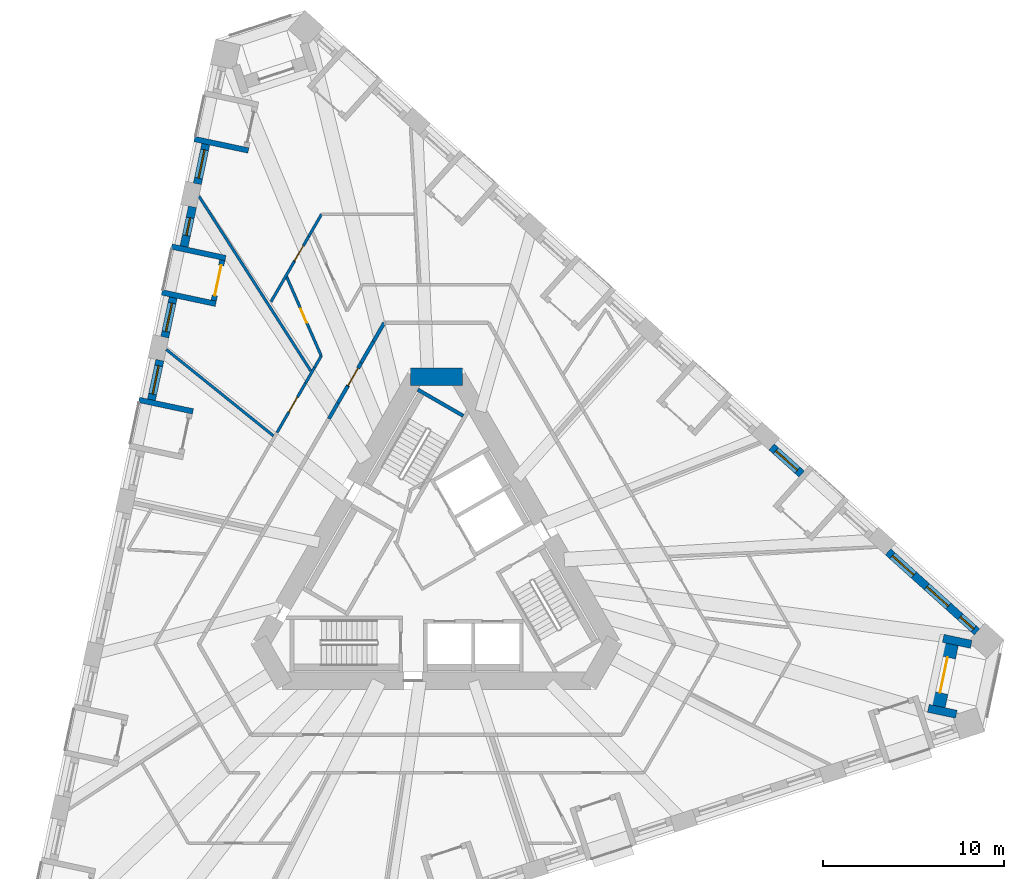
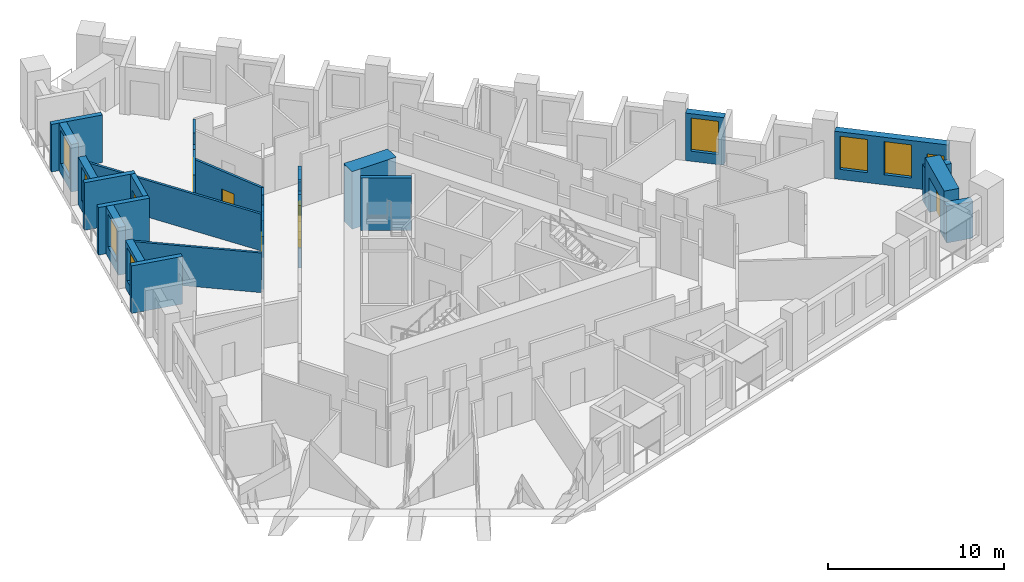
# One storey, part 7 of 12: 30 walls, 8 windows, 6 doors, 14 openings.
"""IFC4 building model written with IfcOpenShell, lengths in metres."""

import ifcopenshell
import ifcopenshell.guid

model = None  # the IFC model being written
_history = None  # IfcOwnerHistory: only IFC2X3 demands one
_inside = {}  # id of a spatial element -> (the spatial element, [elements in it])
_under = {}  # id of a project, library or spatial element -> (it, [spatial elements below it])
_declared = {}  # id of a project -> (the project, [libraries it declares])
_typed = {}  # id of a type object -> (the type object, [elements of that type])
_made_of = {}  # id of a material, layer set ... -> (it, [elements and type objects made of it])


def new_model(schema):
    """Start an empty IFC model of exactly this schema.

    Asked for "IFC4X3", IfcOpenShell would pick the latest addendum, in which some entities
    have other attributes; the version numbers below select the first issue.
    IFC2X3 requires an IfcOwnerHistory on every rooted entity: one is made here for all.
    """
    global model, _history
    if schema == "IFC4X3":
        model = ifcopenshell.file(schema_version=(4, 3, 0, 0))
    else:
        model = ifcopenshell.file(schema=schema)
    _inside.clear()
    _under.clear()
    _declared.clear()
    _typed.clear()
    _made_of.clear()
    _history = None
    if model.schema == "IFC2X3":
        org = make("IfcOrganization", Name="unknown")
        user = make(
            "IfcPersonAndOrganization",
            ThePerson=make("IfcPerson", FamilyName="unknown"),
            TheOrganization=org,
        )
        app = make(
            "IfcApplication",
            ApplicationDeveloper=org,
            Version="unknown",
            ApplicationFullName="unknown",
            ApplicationIdentifier="unknown",
        )
        _history = make(
            "IfcOwnerHistory",
            OwningUser=user,
            OwningApplication=app,
            ChangeAction="ADDED",
            CreationDate=0,
        )
    return model


def make(cls, **values):
    """One entity of the class cls with the attributes given. An attribute that is None is left unset."""
    return model.create_entity(
        cls, **{name: value for name, value in values.items() if value is not None}
    )


def rooted(cls, **values):
    """An entity with a GlobalId (a new one), such as an element, a storey or a relation."""
    return make(cls, GlobalId=ifcopenshell.guid.new(), OwnerHistory=_history, **values)


def si_unit(unit_type, name, prefix=None):
    """IfcSIUnit, for example si_unit("LENGTHUNIT", "METRE", prefix="MILLI")."""
    return make("IfcSIUnit", UnitType=unit_type, Prefix=prefix, Name=name)


def assignment(units):
    """IfcUnitAssignment: the units of a project."""
    return None if units is None else make("IfcUnitAssignment", Units=units)


def point(xyz):
    """IfcCartesianPoint."""
    return None if xyz is None else make("IfcCartesianPoint", Coordinates=xyz)


def direction(xyz):
    """IfcDirection."""
    return None if xyz is None else make("IfcDirection", DirectionRatios=xyz)


def frame(location, z_axis=None, x_axis=None):
    """IfcAxis2Placement3D, a coordinate frame: its origin and axes. An axis left out is left unset."""
    return make(
        "IfcAxis2Placement3D",
        Location=point(location),
        Axis=direction(z_axis),
        RefDirection=direction(x_axis),
    )


def frame_2d(location, x_axis=None):
    """IfcAxis2Placement2D, a coordinate frame in the plane: its origin and x axis."""
    return make(
        "IfcAxis2Placement2D", Location=point(location), RefDirection=direction(x_axis)
    )


def origin():
    """The frame at (0, 0, 0) with its axes left unset."""
    return frame((0.0, 0.0, 0.0))


def place(relative_to, where):
    """IfcLocalPlacement: puts the frame where relative to a parent placement (None: the world)."""
    return make(
        "IfcLocalPlacement", PlacementRelTo=relative_to, RelativePlacement=where
    )


def context(
    kind, dimensions, precision=None, world=None, true_north=None, identifier=None
):
    """IfcGeometricRepresentationContext, for example the 3D "Model" context."""
    return make(
        "IfcGeometricRepresentationContext",
        ContextIdentifier=identifier,
        ContextType=kind,
        CoordinateSpaceDimension=dimensions,
        Precision=precision,
        WorldCoordinateSystem=world,
        TrueNorth=true_north,
    )


def subcontext(parent, identifier, kind, view, scale=None):
    """IfcGeometricRepresentationSubContext, for example "Body" below "Model"."""
    return make(
        "IfcGeometricRepresentationSubContext",
        ContextIdentifier=identifier,
        ContextType=kind,
        ParentContext=parent,
        TargetScale=scale,
        TargetView=view,
    )


def project(units=None, contexts=None):
    """IfcProject with its units and contexts."""
    return rooted(
        "IfcProject",
        Name="project",
        RepresentationContexts=contexts,
        UnitsInContext=assignment(units),
    )


def spatial(cls, under=None, at=None, **own):
    """A site, building, storey or space (cls), placed at a placement, below another one or the project."""
    s = rooted(cls, ObjectPlacement=at, **own)
    if under is not None:
        _under.setdefault(under.id(), (under, []))[1].append(s)
    return s


def polyline(points):
    """IfcPolyline through the points."""
    return make("IfcPolyline", Points=[point(p) for p in points])


def profile(cls, at=None, kind="AREA", **sizes):
    """A parametric profile (cls). Its sizes go by their IFC names, for example OverallWidth=200.0."""
    return make(cls, ProfileType=kind, Position=at, **sizes)


def rectangle(**sizes):
    """IfcRectangleProfileDef."""
    return profile("IfcRectangleProfileDef", **sizes)


def outline(outer, holes=None, kind="AREA"):
    """IfcArbitraryClosedProfileDef: a profile drawn as a closed curve; with holes, ...WithVoids."""
    if holes is None:
        return make("IfcArbitraryClosedProfileDef", ProfileType=kind, OuterCurve=outer)
    return make(
        "IfcArbitraryProfileDefWithVoids",
        ProfileType=kind,
        OuterCurve=outer,
        InnerCurves=holes,
    )


def extrude(swept, where, along, depth):
    """IfcExtrudedAreaSolid: the profile swept, set in the frame where, extruded along a direction by depth."""
    return make(
        "IfcExtrudedAreaSolid",
        SweptArea=swept,
        Position=where,
        ExtrudedDirection=direction(along),
        Depth=depth,
    )


def shape(context_of_items, identifier, shape_type, items):
    """IfcShapeRepresentation: the items that make up one representation, for example the "Body"."""
    return make(
        "IfcShapeRepresentation",
        ContextOfItems=context_of_items,
        RepresentationIdentifier=identifier,
        RepresentationType=shape_type,
        Items=items,
    )


def material(Name=None, Category=None):
    """IfcMaterial."""
    return make("IfcMaterial", Name=Name, Category=Category)


def layer(
    of_material, thickness, ventilated=None, Name=None, Category=None, Priority=None
):
    """IfcMaterialLayer: one layer of a wall or slab, of a material (None: an air gap)."""
    return make(
        "IfcMaterialLayer",
        Material=of_material,
        LayerThickness=thickness,
        IsVentilated=ventilated,
        Name=Name,
        Category=Category,
        Priority=Priority,
    )


def layer_set(layers, Name=None):
    """IfcMaterialLayerSet."""
    return make("IfcMaterialLayerSet", MaterialLayers=layers, LayerSetName=Name)


def made_of(thing, what):
    """Note that an element or type object is made of a material, layer set ...; save() writes the relation."""
    if what is not None:
        _made_of.setdefault(what.id(), (what, []))[1].append(thing)
    return thing


def type_object(cls, material=None, **own):
    """A type object (cls), such as IfcWallType, which elements share."""
    return made_of(rooted(cls, **own), material)


def element(
    cls,
    number,
    at=None,
    inside=None,
    cuts=None,
    type_object=None,
    material=None,
    context=None,
    identifier="Body",
    shape_type=None,
    held_by="IfcProductDefinitionShape",
    body=None,
    shapes=None,
    **own,
):
    """One element of the class cls, such as IfcWall. Its Tag is "e" and its number.

    at: its placement. inside: the storey or other place that contains it. cuts: it is an
    opening in that element (IfcRelVoidsElement). A single representation is given by context,
    identifier, shape_type and body (its items); several are given by shapes. held_by: the class
    of the entity that holds the representations. save() writes the other relations.
    """
    e = rooted(cls, Tag="e%d" % number, ObjectPlacement=at, **own)
    if body is not None:
        shapes = [shape(context, identifier, shape_type, body)]
    if shapes is not None:
        e.Representation = make(held_by, Representations=shapes)
    if inside is not None:
        _inside.setdefault(inside.id(), (inside, []))[1].append(e)
    if cuts is not None:
        rooted(
            "IfcRelVoidsElement", RelatingBuildingElement=cuts, RelatedOpeningElement=e
        )
    if type_object is not None:
        _typed.setdefault(type_object.id(), (type_object, []))[1].append(e)
    return made_of(e, material)


def fill(opening, filler):
    """IfcRelFillsElement: the door or window that sits in an opening."""
    return rooted(
        "IfcRelFillsElement",
        RelatingOpeningElement=opening,
        RelatedBuildingElement=filler,
    )


def aggregate(whole, parts):
    """IfcRelAggregates: a whole, such as a stair, and the parts it consists of."""
    return rooted("IfcRelAggregates", RelatingObject=whole, RelatedObjects=parts)


def save(model, path):
    """Write the relations noted so far, then the file.

    IfcRelAggregates (storeys below a building ...), IfcRelContainedInSpatialStructure (elements
    in a storey), IfcRelDefinesByType, IfcRelAssociatesMaterial and IfcRelDeclares: one each for
    every whole, place, type object, material and project.
    """
    for whole, parts in _under.values():
        aggregate(whole, parts)
    for where, things in _inside.values():
        rooted(
            "IfcRelContainedInSpatialStructure",
            RelatedElements=things,
            RelatingStructure=where,
        )
    for kind, things in _typed.values():
        rooted("IfcRelDefinesByType", RelatedObjects=things, RelatingType=kind)
    for what, things in _made_of.values():
        rooted("IfcRelAssociatesMaterial", RelatedObjects=things, RelatingMaterial=what)
    for by, libraries in _declared.values():
        rooted("IfcRelDeclares", RelatingContext=by, RelatedDefinitions=libraries)
    model.write(path)


model = new_model("IFC4")

# Units and contexts
model_context = context("Model", 3, precision=1e-05, world=origin(), true_north=direction((0.0, 1.0)))
body_context = subcontext(model_context, "Body", "Model", "MODEL_VIEW")
ifc_project = project(units=[si_unit("LENGTHUNIT", "METRE"), si_unit("AREAUNIT", "SQUARE_METRE"), si_unit("VOLUMEUNIT", "CUBIC_METRE"), si_unit("PLANEANGLEUNIT", "RADIAN"), si_unit("MASSUNIT", "GRAM", prefix="KILO")], contexts=[model_context])

# Site, building, storey
site_placement = place(None, origin())
site = spatial("IfcSite", under=ifc_project, at=site_placement, CompositionType="ELEMENT")
building_placement = place(site_placement, origin())
building = spatial("IfcBuilding", under=site, at=building_placement, Name="Tramontana Tower", CompositionType="ELEMENT")
storey_placement = place(building_placement, frame((0.0, 0.0, 92.39990234375)))
storey = spatial("IfcBuildingStorey", under=building, at=storey_placement, Name="L20", CompositionType="ELEMENT", Elevation=92.39990234375)

# Walls
ifc_material_1 = material(Name="Concrete 70 MPa", Category="concrete")
ifc_layer_1 = layer(ifc_material_1, 0.949951171875)
ifc_layer_set_1 = layer_set([ifc_layer_1], Name="Core wall 950 70 MPa")
wall_type_1 = type_object("IfcWallType", Name="Core wall 950 70 MPa", PredefinedType="SHEAR", material=ifc_layer_set_1)
wall_1_placement = place(storey_placement, frame((1.443359375, 10.52490234375, 0.0), z_axis=(0.0, 0.0, 1.0), x_axis=(-1.0, 0.0, 0.0)))
element("IfcWall", 1, at=wall_1_placement, inside=storey, type_object=wall_type_1, Name="Core wall C0 L20", PredefinedType="SHEAR", context=body_context, shape_type="SweptSolid", body=[
    extrude(rectangle(XDim=2.88671875, YDim=0.949951171875, at=frame_2d((1.443359375, 0.0))), origin(), (0.0, 0.0, 1.0), 4.0),
])
ifc_material_2 = material(Name="Blockwork", Category="masonry")
ifc_layer_2 = layer(ifc_material_2, 0.199951171875)
ifc_layer_set_2 = layer_set([ifc_layer_2], Name="ENTRY WALL 200")
wall_type_2 = type_object("IfcWallType", Name="ENTRY WALL 200", PredefinedType="SOLIDWALL", material=ifc_layer_set_2)
wall_2_placement = place(storey_placement, frame((-5.944091796875, 8.20458984375, 0.0), z_axis=(0.0, 0.0, 1.0), x_axis=(0.500051323872, 0.865995769906, 0.0)))
element("IfcWall", 2, at=wall_2_placement, inside=storey, type_object=wall_type_2, Name="Wall v20-ew4-7", PredefinedType="SOLIDWALL", context=body_context, shape_type="SweptSolid", body=[
    extrude(rectangle(XDim=1.0068359375, YDim=0.199951171875, at=frame_2d((0.50341796875, 0.0))), origin(), (0.0, 0.0, 1.0), 2.550048828125),
])
wall_3_placement = place(storey_placement, frame((-5.440673828125, 9.076416015625, 0.0), z_axis=(0.0, 0.0, 1.0), x_axis=(0.499920058375, 0.866071553184, 0.0)))
element("IfcWall", 3, at=wall_3_placement, inside=storey, type_object=wall_type_2, Name="Wall v20-ew4-8", PredefinedType="SOLIDWALL", context=body_context, shape_type="SweptSolid", body=[
    extrude(rectangle(XDim=1.069580078125, YDim=0.199951171875, at=frame_2d((0.53466796875, 0.0))), origin(), (0.0, 0.0, 1.0), 3.650146484375),
])

# Wall, opening, door
wall_4_placement = place(storey_placement, frame((-4.906005859375, 10.002685546875, 0.0), z_axis=(0.0, 0.0, 1.0), x_axis=(0.500096935553, 0.865969430783, 0.0)))
wall_4 = element("IfcWall", 4, at=wall_4_placement, inside=storey, type_object=wall_type_2, Name="Wall v20-ew4-9", PredefinedType="SOLIDWALL", context=body_context, shape_type="SweptSolid", body=[
    extrude(outline(polyline([(0.0, 0.0), (1.486083984375, 0.0), (1.48583984375, 2.550048828125), (0.349853515625, 2.550048828125), (0.349853515625, 3.650146484375), (0.0, 3.650146484375), (0.0, 0.0)])), frame((0.0, 0.10009765625, 0.0), z_axis=(0.0, -1.0, 0.0), x_axis=(1.0, 0.0, 0.0)), (0.0, 0.0, 1.0), 0.199951171875),
])
opening_1_placement = place(wall_4_placement, frame((0.050048828125, 0.0, 0.0)))
opening_1 = element("IfcOpeningElement", 5, at=opening_1_placement, cuts=wall_4, Name="Opening B2A-22", PredefinedType="OPENING", context=body_context, shape_type="SweptSolid", body=[
    extrude(rectangle(XDim=1.10009765625, YDim=2.39990234375, at=frame_2d((0.550048828125, 1.199951171875))), frame((0.0, 0.10986328125, 0.0), z_axis=(0.0, -1.0, 0.0), x_axis=(1.0, 0.0, 0.0)), (0.0, 0.0, 1.0), 0.219970703125),
])
ifc_material_3 = material(Name="Painted timber", Category="wood")
door_type_1 = type_object("IfcDoorType", Name="DOOR ENTRY 1100", OperationType="SINGLE_SWING_LEFT", PredefinedType="DOOR", material=ifc_material_3)
door_1_placement = place(opening_1_placement, origin())
door_1 = element("IfcDoor", 6, at=door_1_placement, inside=storey, type_object=door_type_1, Name="Door B2A-22", OperationType="SINGLE_SWING_RIGHT", OverallHeight=2.39990234375, OverallWidth=1.10009765625, PredefinedType="DOOR", context=body_context, shape_type="SweptSolid", body=[
    extrude(rectangle(XDim=1.10009765625, YDim=2.39990234375, at=frame_2d((0.550048828125, 1.199951171875))), frame((0.0, 0.02490234375, 0.0), z_axis=(0.0, -1.0, 0.0), x_axis=(1.0, 0.0, 0.0)), (0.0, 0.0, 1.0), 0.050048828125),
])
fill(opening_1, door_1)

# Walls
wall_5_placement = place(storey_placement, frame((-4.162841796875, 11.28955078125, 0.0), z_axis=(0.0, 0.0, 1.0), x_axis=(0.499903734186, 0.866080975745, 0.0)))
element("IfcWall", 7, at=wall_5_placement, inside=storey, type_object=wall_type_2, Name="Wall v20-ew4-10", PredefinedType="SOLIDWALL", context=body_context, shape_type="SweptSolid", body=[
    extrude(rectangle(XDim=1.360107421875, YDim=0.199951171875, at=frame_2d((0.68017578125, 0.0))), origin(), (0.0, 0.0, 1.0), 3.650146484375),
])
wall_6_placement = place(storey_placement, frame((-3.48291015625, 12.467529296875, 0.0), z_axis=(0.0, 0.0, 1.0), x_axis=(0.500059236744, 0.865991200733, 0.0)))
element("IfcWall", 8, at=wall_6_placement, inside=storey, type_object=wall_type_2, Name="Wall v20-ew4-11", PredefinedType="SOLIDWALL", context=body_context, shape_type="SweptSolid", body=[
    extrude(rectangle(XDim=1.192138671875, YDim=0.199951171875, at=frame_2d((0.59619140625, 0.0))), origin(), (0.0, 0.0, 1.0), 2.550048828125),
])

# Wall, opening, window
ifc_material_4 = material(Name="Precast concrete 60 MPa", Category="concrete")
ifc_layer_3 = layer(ifc_material_4, 0.449951171875)
ifc_layer_set_3 = layer_set([ifc_layer_3], Name="Precast concrete 60 MPa, 450 mm")
wall_type_3 = type_object("IfcWallType", Name="EW1 Stone-faced precast wall 450", PredefinedType="SOLIDWALL", material=ifc_layer_set_3)
wall_7_placement = place(storey_placement, frame((-12.7451171875, 23.36767578125, 0.0), z_axis=(0.0, 0.0, 1.0), x_axis=(-0.207941001029, -0.978141370197, 0.0)))
wall_7 = element("IfcWall", 9, at=wall_7_placement, inside=storey, type_object=wall_type_3, Name="External wall L20 face 0 bay 1", PredefinedType="SOLIDWALL", context=body_context, shape_type="SweptSolid", body=[
    extrude(rectangle(XDim=2.236572265625, YDim=0.449951171875, at=frame_2d((1.1181640625, 0.0))), origin(), (0.0, 0.0, 1.0), 3.300048828125),
])
opening_2_placement = place(wall_7_placement, frame((0.318359375, 0.0, 0.699951171875)))
opening_2 = element("IfcOpeningElement", 10, at=opening_2_placement, cuts=wall_7, Name="Opening M1", PredefinedType="OPENING", context=body_context, shape_type="SweptSolid", body=[
    extrude(rectangle(XDim=1.60009765625, YDim=2.300048828125, at=frame_2d((0.800048828125, 1.14990234375))), frame((0.0, 0.23486328125, 0.0), z_axis=(0.0, -1.0, 0.0), x_axis=(1.0, 0.0, 0.0)), (0.0, 0.0, 1.0), 0.469970703125),
])
ifc_material_5 = material(Name="Aluminum frame, double glazing unit", Category="aluminium")
window_type_1 = type_object("IfcWindowType", Name="M1 Window 1.6 x 2.3", PartitioningType="SINGLE_PANEL", PredefinedType="WINDOW", material=ifc_material_5)
window_1_placement = place(opening_2_placement, origin())
window_1 = element("IfcWindow", 11, at=window_1_placement, inside=storey, type_object=window_type_1, Name="Window M1 L20 face 0 module 3", OverallHeight=2.300048828125, OverallWidth=1.60009765625, PartitioningType="SINGLE_PANEL", PredefinedType="WINDOW", context=body_context, shape_type="SweptSolid", body=[
    extrude(rectangle(XDim=1.60009765625, YDim=2.300048828125, at=frame_2d((0.800048828125, 1.14990234375))), frame((0.0, 0.030029296875, 0.0), z_axis=(0.0, -1.0, 0.0), x_axis=(1.0, 0.0, 0.0)), (0.0, 0.0, 1.0), 0.06005859375),
])
fill(opening_2, window_1)

wall_8_placement = place(storey_placement, frame((-13.48046875, 19.908203125, 0.0), z_axis=(0.0, 0.0, 1.0), x_axis=(-0.207941001029, -0.978141370197, 0.0)))
wall_8 = element("IfcWall", 12, at=wall_8_placement, inside=storey, type_object=wall_type_3, Name="External wall L20 face 0 bay 2", PredefinedType="SOLIDWALL", context=body_context, shape_type="SweptSolid", body=[
    extrude(rectangle(XDim=2.236572265625, YDim=0.449951171875, at=frame_2d((1.1181640625, 0.0))), origin(), (0.0, 0.0, 1.0), 3.300048828125),
])
opening_3_placement = place(wall_8_placement, frame((0.618408203125, 0.0, 0.699951171875)))
opening_3 = element("IfcOpeningElement", 13, at=opening_3_placement, cuts=wall_8, Name="Opening N1", PredefinedType="OPENING", context=body_context, shape_type="SweptSolid", body=[
    extrude(rectangle(XDim=1.0, YDim=2.300048828125, at=frame_2d((0.5, 1.14990234375))), frame((0.0, 0.23486328125, 0.0), z_axis=(0.0, -1.0, 0.0), x_axis=(1.0, 0.0, 0.0)), (0.0, 0.0, 1.0), 0.469970703125),
])
ifc_material_6 = material(Name="Aluminum frame, double glazing unit", Category="aluminium")
window_type_2 = type_object("IfcWindowType", Name="N1 Window 1 x 2.3", PartitioningType="SINGLE_PANEL", PredefinedType="WINDOW", material=ifc_material_6)
window_2_placement = place(opening_3_placement, origin())
window_2 = element("IfcWindow", 14, at=window_2_placement, inside=storey, type_object=window_type_2, Name="Window N1 L20 face 0 module 4", OverallHeight=2.300048828125, OverallWidth=1.0, PartitioningType="SINGLE_PANEL", PredefinedType="WINDOW", context=body_context, shape_type="SweptSolid", body=[
    extrude(rectangle(XDim=1.0, YDim=2.300048828125, at=frame_2d((0.5, 1.14990234375))), frame((0.0, 0.030029296875, 0.0), z_axis=(0.0, -1.0, 0.0), x_axis=(1.0, 0.0, 0.0)), (0.0, 0.0, 1.0), 0.06005859375),
])
fill(opening_3, window_2)

wall_9_placement = place(storey_placement, frame((-14.545654296875, 14.896728515625, 0.0), z_axis=(0.0, 0.0, 1.0), x_axis=(-0.207941001029, -0.978141370197, 0.0)))
wall_9 = element("IfcWall", 15, at=wall_9_placement, inside=storey, type_object=wall_type_3, Name="External wall L20 face 0 bay 2", PredefinedType="SOLIDWALL", context=body_context, shape_type="SweptSolid", body=[
    extrude(rectangle(XDim=2.236572265625, YDim=0.449951171875, at=frame_2d((1.1181640625, 0.0))), origin(), (0.0, 0.0, 1.0), 3.300048828125),
])
opening_4_placement = place(wall_9_placement, frame((0.318359375, 0.0, 0.699951171875)))
opening_4 = element("IfcOpeningElement", 16, at=opening_4_placement, cuts=wall_9, Name="Opening M1", PredefinedType="OPENING", context=body_context, shape_type="SweptSolid", body=[
    extrude(rectangle(XDim=1.60009765625, YDim=2.300048828125, at=frame_2d((0.800048828125, 1.14990234375))), frame((0.0, 0.23486328125, 0.0), z_axis=(0.0, -1.0, 0.0), x_axis=(1.0, 0.0, 0.0)), (0.0, 0.0, 1.0), 0.469970703125),
])
window_3_placement = place(opening_4_placement, origin())
window_3 = element("IfcWindow", 17, at=window_3_placement, inside=storey, type_object=window_type_1, Name="Window M1 L20 face 0 module 6", OverallHeight=2.300048828125, OverallWidth=1.60009765625, PartitioningType="SINGLE_PANEL", PredefinedType="WINDOW", context=body_context, shape_type="SweptSolid", body=[
    extrude(rectangle(XDim=1.60009765625, YDim=2.300048828125, at=frame_2d((0.800048828125, 1.14990234375))), frame((0.0, 0.030029296875, 0.0), z_axis=(0.0, -1.0, 0.0), x_axis=(1.0, 0.0, 0.0)), (0.0, 0.0, 1.0), 0.06005859375),
])
fill(opening_4, window_3)

wall_10_placement = place(storey_placement, frame((-15.281005859375, 11.437255859375, 0.0), z_axis=(0.0, 0.0, 1.0), x_axis=(-0.207941001029, -0.978141370197, 0.0)))
wall_10 = element("IfcWall", 18, at=wall_10_placement, inside=storey, type_object=wall_type_3, Name="External wall L20 face 0 bay 3", PredefinedType="SOLIDWALL", context=body_context, shape_type="SweptSolid", body=[
    extrude(rectangle(XDim=2.236572265625, YDim=0.449951171875, at=frame_2d((1.1181640625, 0.0))), origin(), (0.0, 0.0, 1.0), 3.300048828125),
])
opening_5_placement = place(wall_10_placement, frame((0.318359375, 0.0, 0.699951171875)))
opening_5 = element("IfcOpeningElement", 19, at=opening_5_placement, cuts=wall_10, Name="Opening M1", PredefinedType="OPENING", context=body_context, shape_type="SweptSolid", body=[
    extrude(rectangle(XDim=1.60009765625, YDim=2.300048828125, at=frame_2d((0.800048828125, 1.14990234375))), frame((0.0, 0.23486328125, 0.0), z_axis=(0.0, -1.0, 0.0), x_axis=(1.0, 0.0, 0.0)), (0.0, 0.0, 1.0), 0.469970703125),
])
window_4_placement = place(opening_5_placement, origin())
window_4 = element("IfcWindow", 20, at=window_4_placement, inside=storey, type_object=window_type_1, Name="Window M1 L20 face 0 module 7", OverallHeight=2.300048828125, OverallWidth=1.60009765625, PartitioningType="SINGLE_PANEL", PredefinedType="WINDOW", context=body_context, shape_type="SweptSolid", body=[
    extrude(rectangle(XDim=1.60009765625, YDim=2.300048828125, at=frame_2d((0.800048828125, 1.14990234375))), frame((0.0, 0.030029296875, 0.0), z_axis=(0.0, -1.0, 0.0), x_axis=(1.0, 0.0, 0.0)), (0.0, 0.0, 1.0), 0.06005859375),
])
fill(opening_5, window_4)

# Wall, openings, windows
wall_11_placement = place(storey_placement, frame((29.85986328125, -3.57275390625, 0.0), z_axis=(0.0, 0.0, 1.0), x_axis=(-0.743161908204, 0.669111633582, 0.0)))
wall_11 = element("IfcWall", 21, at=wall_11_placement, inside=storey, type_object=wall_type_3, Name="External wall L20 face 2 bay 1", PredefinedType="SOLIDWALL", context=body_context, shape_type="SweptSolid", body=[
    extrude(rectangle(XDim=6.6103515625, YDim=0.449951171875, at=frame_2d((3.30517578125, 0.0))), origin(), (0.0, 0.0, 1.0), 3.300048828125),
])
opening_6_placement = place(wall_11_placement, frame((0.243408203125, 0.0, 0.699951171875)))
opening_6 = element("IfcOpeningElement", 22, at=opening_6_placement, cuts=wall_11, Name="Opening N1L", PredefinedType="OPENING", context=body_context, shape_type="SweptSolid", body=[
    extrude(rectangle(XDim=1.0, YDim=1.800048828125, at=frame_2d((0.5, 0.89990234375))), frame((0.0, 0.23486328125, 0.0), z_axis=(0.0, -1.0, 0.0), x_axis=(1.0, 0.0, 0.0)), (0.0, 0.0, 1.0), 0.469970703125),
])
opening_7_placement = place(wall_11_placement, frame((2.130126953125, 0.0, 0.699951171875)))
opening_7 = element("IfcOpeningElement", 23, at=opening_7_placement, cuts=wall_11, Name="Opening M1", PredefinedType="OPENING", context=body_context, shape_type="SweptSolid", body=[
    extrude(rectangle(XDim=1.60009765625, YDim=2.300048828125, at=frame_2d((0.800048828125, 1.14990234375))), frame((0.0, 0.23486328125, 0.0), z_axis=(0.0, -1.0, 0.0), x_axis=(1.0, 0.0, 0.0)), (0.0, 0.0, 1.0), 0.469970703125),
])
opening_8_placement = place(wall_11_placement, frame((4.69189453125, 0.0, 0.699951171875)))
opening_8 = element("IfcOpeningElement", 24, at=opening_8_placement, cuts=wall_11, Name="Opening M1", PredefinedType="OPENING", context=body_context, shape_type="SweptSolid", body=[
    extrude(rectangle(XDim=1.60009765625, YDim=2.300048828125, at=frame_2d((0.800048828125, 1.14990234375))), frame((0.0, 0.23486328125, 0.0), z_axis=(0.0, -1.0, 0.0), x_axis=(1.0, 0.0, 0.0)), (0.0, 0.0, 1.0), 0.469970703125),
])
window_5_placement = place(opening_7_placement, origin())
window_5 = element("IfcWindow", 25, at=window_5_placement, inside=storey, type_object=window_type_1, Name="Window M1 L20 face 2 module 2", OverallHeight=2.300048828125, OverallWidth=1.60009765625, PartitioningType="SINGLE_PANEL", PredefinedType="WINDOW", context=body_context, shape_type="SweptSolid", body=[
    extrude(rectangle(XDim=1.60009765625, YDim=2.300048828125, at=frame_2d((0.800048828125, 1.14990234375))), frame((0.0, 0.030029296875, 0.0), z_axis=(0.0, -1.0, 0.0), x_axis=(1.0, 0.0, 0.0)), (0.0, 0.0, 1.0), 0.06005859375),
])
fill(opening_7, window_5)
window_6_placement = place(opening_8_placement, origin())
window_6 = element("IfcWindow", 26, at=window_6_placement, inside=storey, type_object=window_type_1, Name="Window M1 L20 face 2 module 3", OverallHeight=2.300048828125, OverallWidth=1.60009765625, PartitioningType="SINGLE_PANEL", PredefinedType="WINDOW", context=body_context, shape_type="SweptSolid", body=[
    extrude(rectangle(XDim=1.60009765625, YDim=2.300048828125, at=frame_2d((0.800048828125, 1.14990234375))), frame((0.0, 0.030029296875, 0.0), z_axis=(0.0, -1.0, 0.0), x_axis=(1.0, 0.0, 0.0)), (0.0, 0.0, 1.0), 0.06005859375),
])
fill(opening_8, window_6)
ifc_material_7 = material(Name="Aluminum frame, double glazing unit", Category="aluminium")
window_type_3 = type_object("IfcWindowType", Name="N1L Window 1 x 1.8", PartitioningType="SINGLE_PANEL", PredefinedType="WINDOW", material=ifc_material_7)
window_7_placement = place(opening_6_placement, origin())
window_7 = element("IfcWindow", 27, at=window_7_placement, inside=storey, type_object=window_type_3, Name="Window N1L L20 face 2 module 1", OverallHeight=1.800048828125, OverallWidth=1.0, PartitioningType="SINGLE_PANEL", PredefinedType="WINDOW", context=body_context, shape_type="SweptSolid", body=[
    extrude(rectangle(XDim=1.0, YDim=1.800048828125, at=frame_2d((0.5, 0.89990234375))), frame((0.0, 0.030029296875, 0.0), z_axis=(0.0, -1.0, 0.0), x_axis=(1.0, 0.0, 0.0)), (0.0, 0.0, 1.0), 0.06005859375),
])
fill(opening_6, window_7)

# Wall, opening, window
wall_12_placement = place(storey_placement, frame((20.173828125, 5.1484375, 0.0), z_axis=(0.0, 0.0, 1.0), x_axis=(-0.743136746477, 0.669139578889, 0.0)))
wall_12 = element("IfcWall", 28, at=wall_12_placement, inside=storey, type_object=wall_type_3, Name="External wall L20 face 2 bay 2", PredefinedType="SOLIDWALL", context=body_context, shape_type="SweptSolid", body=[
    extrude(rectangle(XDim=2.237060546875, YDim=0.449951171875, at=frame_2d((1.11865234375, 0.0))), origin(), (0.0, 0.0, 1.0), 3.300048828125),
])
opening_9_placement = place(wall_12_placement, frame((0.318359375, 0.0, 0.699951171875)))
opening_9 = element("IfcOpeningElement", 29, at=opening_9_placement, cuts=wall_12, Name="Opening M1", PredefinedType="OPENING", context=body_context, shape_type="SweptSolid", body=[
    extrude(rectangle(XDim=1.60009765625, YDim=2.300048828125, at=frame_2d((0.800048828125, 1.14990234375))), frame((0.0, 0.23486328125, 0.0), z_axis=(0.0, -1.0, 0.0), x_axis=(1.0, 0.0, 0.0)), (0.0, 0.0, 1.0), 0.469970703125),
])
window_8_placement = place(opening_9_placement, origin())
window_8 = element("IfcWindow", 30, at=window_8_placement, inside=storey, type_object=window_type_1, Name="Window M1 L20 face 2 module 6", OverallHeight=2.300048828125, OverallWidth=1.60009765625, PartitioningType="SINGLE_PANEL", PredefinedType="WINDOW", context=body_context, shape_type="SweptSolid", body=[
    extrude(rectangle(XDim=1.60009765625, YDim=2.300048828125, at=frame_2d((0.800048828125, 1.14990234375))), frame((0.0, 0.030029296875, 0.0), z_axis=(0.0, -1.0, 0.0), x_axis=(1.0, 0.0, 0.0)), (0.0, 0.0, 1.0), 0.06005859375),
])
fill(opening_9, window_8)

# Walls
for number, where, z_axis, x_axis, name in (
    (31, (29.5390625, -4.259521484375, 0.0), (0.0, 0.0, 1.0), (-0.978142738706, 0.207934563547, 0.0), "Corner loggia side wall L20 K22l"),
    (32, (28.7177734375, -8.123291015625, 0.0), (0.0, 0.0, 1.0), (-0.978142738706, 0.207934563547, 0.0), "Corner loggia side wall L20 K22r"),
):
    element("IfcWall", number, at=place(storey_placement, frame(where, z_axis=z_axis, x_axis=x_axis)), inside=storey, type_object=wall_type_3, Name=name, PredefinedType="SOLIDWALL", context=body_context, shape_type="SweptSolid", body=[
        extrude(rectangle(XDim=1.5791015625, YDim=0.449951171875, at=frame_2d((0.78955078125, 0.0))), origin(), (0.0, 0.0, 1.0), 2.550048828125),
    ])

# Wall, opening, door
ifc_material_8 = material(Name="Precast concrete 60 MPa", Category="concrete")
ifc_layer_4 = layer(ifc_material_8, 0.89990234375)
ifc_layer_set_4 = layer_set([ifc_layer_4], Name="EW2 Stone-faced corner loggia wall 900")
wall_type_4 = type_object("IfcWallType", Name="EW2 Stone-faced corner loggia wall 900", PredefinedType="SOLIDWALL", material=ifc_layer_set_4)
wall_13_placement = place(storey_placement, frame((28.3876953125, -4.244873046875, 0.0), z_axis=(0.0, 0.0, 1.0), x_axis=(-0.207866264069, -0.978157255385, 0.0)))
wall_13 = element("IfcWall", 33, at=wall_13_placement, inside=storey, type_object=wall_type_4, Name="Corner loggia wall L20 K22", PredefinedType="SOLIDWALL", context=body_context, shape_type="SweptSolid", body=[
    extrude(rectangle(XDim=3.5, YDim=0.89990234375, at=frame_2d((1.75, 0.0))), origin(), (0.0, 0.0, 1.0), 3.300048828125),
])
opening_10_placement = place(wall_13_placement, frame((0.75, 0.0, 0.0)))
opening_10 = element("IfcOpeningElement", 34, at=opening_10_placement, cuts=wall_13, Name="Opening BD-22C", PredefinedType="OPENING", context=body_context, shape_type="SweptSolid", body=[
    extrude(rectangle(XDim=2.0, YDim=2.39990234375, at=frame_2d((1.0, 1.199951171875))), frame((0.0, 0.4599609375, 0.0), z_axis=(0.0, -1.0, 0.0), x_axis=(1.0, 0.0, 0.0)), (0.0, 0.0, 1.0), 0.919921875),
])
ifc_material_9 = material(Name="Aluminum frame, double glazing unit", Category="aluminium")
door_type_2 = type_object("IfcDoorType", Name="BC1 Sliding door 2 x 2.4", OperationType="SLIDING_TO_LEFT", PredefinedType="DOOR", material=ifc_material_9)
door_2_placement = place(opening_10_placement, origin())
door_2 = element("IfcDoor", 35, at=door_2_placement, inside=storey, type_object=door_type_2, Name="Corner loggia door L20 K22", OperationType="SLIDING_TO_LEFT", OverallHeight=2.39990234375, OverallWidth=2.0, PredefinedType="DOOR", context=body_context, shape_type="SweptSolid", body=[
    extrude(rectangle(XDim=2.0, YDim=2.39990234375, at=frame_2d((1.0, 1.199951171875))), frame((0.0, 0.02490234375, 0.0), z_axis=(0.0, -1.0, 0.0), x_axis=(1.0, 0.0, 0.0)), (0.0, 0.0, 1.0), 0.050048828125),
])
fill(opening_10, door_2)

# Wall
ifc_material_10 = material(Name="Precast concrete 60 MPa", Category="concrete")
ifc_layer_5 = layer(ifc_material_10, 0.300048828125)
ifc_layer_set_5 = layer_set([ifc_layer_5], Name="LW1 Stone-faced loggia wall 300")
wall_type_5 = type_object("IfcWallType", Name="LW1 Stone-faced loggia wall 300", PredefinedType="SOLIDWALL", material=ifc_layer_set_5)
wall_14_placement = place(storey_placement, frame((-13.3740234375, 23.65478515625, 0.0), z_axis=(0.0, 0.0, 1.0), x_axis=(0.978151322619, -0.207894179953, 0.0)))
element("IfcWall", 36, at=wall_14_placement, inside=storey, type_object=wall_type_5, Name="Loggia return L20 G2S0.1b", PredefinedType="SOLIDWALL", context=body_context, shape_type="SweptSolid", body=[
    extrude(rectangle(XDim=3.0498046875, YDim=0.300048828125, at=frame_2d((1.52490234375, 0.0))), origin(), (0.0, 0.0, 1.0), 3.300048828125),
])

# Wall, opening, door
wall_15_placement = place(storey_placement, frame((-11.83154296875, 16.96435546875, 0.0), z_axis=(0.0, 0.0, 1.0), x_axis=(-0.207866417042, -0.978157222877, 0.0)))
wall_15 = element("IfcWall", 37, at=wall_15_placement, inside=storey, type_object=wall_type_5, Name="Loggia wall L20 G2S0.4", PredefinedType="SOLIDWALL", context=body_context, shape_type="SweptSolid", body=[
    extrude(rectangle(XDim=2.286865234375, YDim=0.300048828125, at=frame_2d((1.1435546875, 0.0))), origin(), (0.0, 0.0, 1.0), 3.300048828125),
])
opening_11_placement = place(wall_15_placement, frame((0.29345703125, 0.0, 0.0)))
opening_11 = element("IfcOpeningElement", 38, at=opening_11_placement, cuts=wall_15, Name="Opening BD-2S0-04", PredefinedType="OPENING", context=body_context, shape_type="SweptSolid", body=[
    extrude(rectangle(XDim=1.699951171875, YDim=2.39990234375, at=frame_2d((0.85009765625, 1.199951171875))), frame((0.0, 0.159912109375, 0.0), z_axis=(0.0, -1.0, 0.0), x_axis=(1.0, 0.0, 0.0)), (0.0, 0.0, 1.0), 0.320068359375),
])
ifc_material_11 = material(Name="Aluminum frame, double glazing unit", Category="aluminium")
door_type_3 = type_object("IfcDoorType", Name="BD1 Sliding door 1.7 x 2.4", OperationType="SLIDING_TO_LEFT", PredefinedType="DOOR", material=ifc_material_11)
door_3_placement = place(opening_11_placement, origin())
door_3 = element("IfcDoor", 39, at=door_3_placement, inside=storey, type_object=door_type_3, Name="Loggia door L20 G2S0.4", OperationType="SLIDING_TO_LEFT", OverallHeight=2.39990234375, OverallWidth=1.699951171875, PredefinedType="DOOR", context=body_context, shape_type="SweptSolid", body=[
    extrude(rectangle(XDim=1.699951171875, YDim=2.39990234375, at=frame_2d((0.85009765625, 1.199951171875))), frame((0.0, 0.02490234375, 0.0), z_axis=(0.0, -1.0, 0.0), x_axis=(1.0, 0.0, 0.0)), (0.0, 0.0, 1.0), 0.050048828125),
])
fill(opening_11, door_3)

# Walls
for number, where, z_axis, x_axis, name in (
    (40, (-14.636962890625, 17.714111328125, 0.0), (0.0, 0.0, 1.0), (0.978138503145, -0.207954487003, 0.0), "Loggia return L20 G2S0.4a"),
    (41, (-15.1748046875, 15.183837890625, 0.0), (0.0, 0.0, 1.0), (0.978138503145, -0.207954487003, 0.0), "Loggia return L20 G2S0.4b"),
    (42, (-16.4375, 9.242919921875, 0.0), (0.0, 0.0, 1.0), (0.978154782045, -0.207877902534, 0.0), "Loggia return L20 G2S0.7a"),
):
    element("IfcWall", number, at=place(storey_placement, frame(where, z_axis=z_axis, x_axis=x_axis)), inside=storey, type_object=wall_type_5, Name=name, PredefinedType="SOLIDWALL", context=body_context, shape_type="SweptSolid", body=[
        extrude(rectangle(XDim=3.050048828125, YDim=0.300048828125, at=frame_2d((1.52490234375, 0.0))), origin(), (0.0, 0.0, 1.0), 3.300048828125),
    ])

# Wall, opening, door
ifc_material_12 = material(Name="Gypsum board partition")
ifc_layer_6 = layer(ifc_material_12, 0.14990234375)
ifc_layer_set_6 = layer_set([ifc_layer_6], Name="PARTITION 150")
wall_type_6 = type_object("IfcWallType", Name="PARTITION 150", PredefinedType="PARTITIONING", material=ifc_layer_set_6)
wall_16_placement = place(storey_placement, frame((-8.809326171875, 7.44189453125, 0.0), z_axis=(0.0, 0.0, 1.0), x_axis=(0.500003371769, 0.866023457084, 0.0)))
wall_16 = element("IfcWall", 43, at=wall_16_placement, inside=storey, type_object=wall_type_6, Name="Wall v20-pw02-5", PredefinedType="PARTITIONING", context=body_context, shape_type="SweptSolid", body=[
    extrude(rectangle(XDim=3.15966796875, YDim=0.14990234375, at=frame_2d((1.579833984375, 0.0))), origin(), (0.0, 0.0, 1.0), 3.650146484375),
])
opening_12_placement = place(wall_16_placement, frame((1.30712890625, 0.0, 0.0)))
opening_12 = element("IfcOpeningElement", 44, at=opening_12_placement, cuts=wall_16, Name="Opening B2A-05", PredefinedType="OPENING", context=body_context, shape_type="SweptSolid", body=[
    extrude(rectangle(XDim=0.949951171875, YDim=2.39990234375, at=frame_2d((0.47509765625, 1.199951171875))), frame((0.0, 0.0849609375, 0.0), z_axis=(0.0, -1.0, 0.0), x_axis=(1.0, 0.0, 0.0)), (0.0, 0.0, 1.0), 0.169921875),
])
ifc_material_13 = material(Name="Painted timber", Category="wood")
door_type_4 = type_object("IfcDoorType", Name="DOOR ROOM 950", OperationType="SINGLE_SWING_LEFT", PredefinedType="DOOR", material=ifc_material_13)
door_4_placement = place(opening_12_placement, origin())
door_4 = element("IfcDoor", 45, at=door_4_placement, inside=storey, type_object=door_type_4, Name="Door B2A-05", OperationType="SINGLE_SWING_LEFT", OverallHeight=2.39990234375, OverallWidth=0.949951171875, PredefinedType="DOOR", context=body_context, shape_type="SweptSolid", body=[
    extrude(rectangle(XDim=0.949951171875, YDim=2.39990234375, at=frame_2d((0.47509765625, 1.199951171875))), frame((0.0, 0.02490234375, 0.0), z_axis=(0.0, -1.0, 0.0), x_axis=(1.0, 0.0, 0.0)), (0.0, 0.0, 1.0), 0.050048828125),
])
fill(opening_12, door_4)

# Walls
wall_17_placement = place(storey_placement, frame((-7.2294921875, 10.17822265625, 0.0), z_axis=(0.0, 0.0, 1.0), x_axis=(0.500082280366, 0.865977893981, 0.0)))
element("IfcWall", 46, at=wall_17_placement, inside=storey, type_object=wall_type_6, Name="Wall v20-pw02-6", PredefinedType="PARTITIONING", context=body_context, shape_type="SweptSolid", body=[
    extrude(rectangle(XDim=0.978759765625, YDim=0.14990234375, at=frame_2d((0.4892578125, 0.0))), origin(), (0.0, 0.0, 1.0), 2.550048828125),
])
wall_18_placement = place(storey_placement, frame((-6.739990234375, 11.02587890625, 0.0), z_axis=(0.0, 0.0, 1.0), x_axis=(0.499826079786, 0.866125793385, 0.0)))
element("IfcWall", 47, at=wall_18_placement, inside=storey, type_object=wall_type_6, Name="Wall v20-pw02-7", PredefinedType="PARTITIONING", context=body_context, shape_type="SweptSolid", body=[
    extrude(rectangle(XDim=0.747802734375, YDim=0.14990234375, at=frame_2d((0.3740234375, 0.0))), origin(), (0.0, 0.0, 1.0), 3.650146484375),
])
wall_19_placement = place(storey_placement, frame((-9.14013671875, 14.6689453125, 0.0), z_axis=(0.0, 0.0, 1.0), x_axis=(0.500016107458, 0.866016103939, 0.0)))
element("IfcWall", 48, at=wall_19_placement, inside=storey, type_object=wall_type_6, Name="Wall v20-pw09-1", PredefinedType="PARTITIONING", context=body_context, shape_type="SweptSolid", body=[
    extrude(rectangle(XDim=2.56689453125, YDim=0.14990234375, at=frame_2d((1.283447265625, 0.0))), origin(), (0.0, 0.0, 1.0), 3.650146484375),
])

# Wall, opening, door
wall_20_placement = place(storey_placement, frame((-7.856689453125, 16.891845703125, 0.0), z_axis=(0.0, 0.0, 1.0), x_axis=(0.499973003918, 0.866040989419, 0.0)))
wall_20 = element("IfcWall", 49, at=wall_20_placement, inside=storey, type_object=wall_type_6, Name="Wall v20-pw09-2", PredefinedType="PARTITIONING", context=body_context, shape_type="SweptSolid", body=[
    extrude(outline(polyline([(0.0, 0.0), (1.6025390625, 0.0), (1.6025390625, 2.550048828125), (0.497802734375, 2.550048828125), (0.497802734375, 3.650146484375), (0.0, 3.650146484375), (0.0, 0.0)])), frame((0.0, 0.074951171875, 0.0), z_axis=(0.0, -1.0, 0.0), x_axis=(1.0, 0.0, 0.0)), (0.0, 0.0, 1.0), 0.14990234375),
])
opening_13_placement = place(wall_20_placement, frame((0.050048828125, 0.0, 0.0)))
opening_13 = element("IfcOpeningElement", 50, at=opening_13_placement, cuts=wall_20, Name="Opening B2A-03", PredefinedType="OPENING", context=body_context, shape_type="SweptSolid", body=[
    extrude(rectangle(XDim=0.949951171875, YDim=2.39990234375, at=frame_2d((0.47509765625, 1.199951171875))), frame((0.0, 0.0849609375, 0.0), z_axis=(0.0, -1.0, 0.0), x_axis=(1.0, 0.0, 0.0)), (0.0, 0.0, 1.0), 0.169921875),
])
door_5_placement = place(opening_13_placement, origin())
door_5 = element("IfcDoor", 51, at=door_5_placement, inside=storey, type_object=door_type_4, Name="Door B2A-03", OperationType="SINGLE_SWING_LEFT", OverallHeight=2.39990234375, OverallWidth=0.949951171875, PredefinedType="DOOR", context=body_context, shape_type="SweptSolid", body=[
    extrude(rectangle(XDim=0.949951171875, YDim=2.39990234375, at=frame_2d((0.47509765625, 1.199951171875))), frame((0.0, 0.02490234375, 0.0), z_axis=(0.0, -1.0, 0.0), x_axis=(1.0, 0.0, 0.0)), (0.0, 0.0, 1.0), 0.050048828125),
])
fill(opening_13, door_5)

# Walls
wall_21_placement = place(storey_placement, frame((-7.055419921875, 18.27978515625, 0.0), z_axis=(0.0, 0.0, 1.0), x_axis=(0.500052415518, 0.865995139556, 0.0)))
element("IfcWall", 52, at=wall_21_placement, inside=storey, type_object=wall_type_6, Name="Wall v20-pw09-3", PredefinedType="PARTITIONING", context=body_context, shape_type="SweptSolid", body=[
    extrude(rectangle(XDim=1.408935546875, YDim=0.14990234375, at=frame_2d((0.70458984375, 0.0))), origin(), (0.0, 0.0, 1.0), 3.650146484375),
])
wall_22_placement = place(storey_placement, frame((-9.00390625, 7.2548828125, 0.0), z_axis=(0.0, 0.0, 1.0), x_axis=(-0.778684200607, 0.627416062692, 0.0)))
element("IfcWall", 53, at=wall_22_placement, inside=storey, type_object=wall_type_6, Name="Wall v20-pw10-0", PredefinedType="PARTITIONING", context=body_context, shape_type="SweptSolid", body=[
    extrude(rectangle(XDim=7.60498046875, YDim=0.14990234375, at=frame_2d((3.802490234375, 0.0))), origin(), (0.0, 0.0, 1.0), 2.75),
])
wall_23_placement = place(storey_placement, frame((-6.9375, 10.833984375, 0.0), z_axis=(0.0, 0.0, 1.0), x_axis=(-0.539252318239, 0.842144249683, 0.0)))
element("IfcWall", 54, at=wall_23_placement, inside=storey, type_object=wall_type_6, Name="Wall v20-pw13-0", PredefinedType="PARTITIONING", context=body_context, shape_type="SweptSolid", body=[
    extrude(rectangle(XDim=11.474609375, YDim=0.14990234375, at=frame_2d((5.7373046875, 0.0))), origin(), (0.0, 0.0, 1.0), 2.550048828125),
])

# Wall, opening, door
wall_24_placement = place(storey_placement, frame((-6.365966796875, 11.67529296875, 0.0), z_axis=(0.0, 0.0, 1.0), x_axis=(-0.401014713365, 0.916071612738, 0.0)))
wall_24 = element("IfcWall", 55, at=wall_24_placement, inside=storey, type_object=wall_type_6, Name="Wall v20-pw15", PredefinedType="PARTITIONING", context=body_context, shape_type="SweptSolid", body=[
    extrude(rectangle(XDim=4.838134765625, YDim=0.14990234375, at=frame_2d((2.4189453125, 0.0))), origin(), (0.0, 0.0, 1.0), 3.650146484375),
])
opening_14_placement = place(wall_24_placement, frame((1.994140625, 0.0, 0.0)))
opening_14 = element("IfcOpeningElement", 56, at=opening_14_placement, cuts=wall_24, Name="Opening B2A-02", PredefinedType="OPENING", context=body_context, shape_type="SweptSolid", body=[
    extrude(rectangle(XDim=0.85009765625, YDim=2.39990234375, at=frame_2d((0.425048828125, 1.199951171875))), frame((0.0, 0.0849609375, 0.0), z_axis=(0.0, -1.0, 0.0), x_axis=(1.0, 0.0, 0.0)), (0.0, 0.0, 1.0), 0.169921875),
])
ifc_material_14 = material(Name="Painted timber", Category="wood")
door_type_5 = type_object("IfcDoorType", Name="DOOR BATH 850", OperationType="SINGLE_SWING_LEFT", PredefinedType="DOOR", material=ifc_material_14)
door_6_placement = place(opening_14_placement, origin())
door_6 = element("IfcDoor", 57, at=door_6_placement, inside=storey, type_object=door_type_5, Name="Door B2A-02", OperationType="SINGLE_SWING_RIGHT", OverallHeight=2.39990234375, OverallWidth=0.85009765625, PredefinedType="DOOR", context=body_context, shape_type="SweptSolid", body=[
    extrude(rectangle(XDim=0.85009765625, YDim=2.39990234375, at=frame_2d((0.425048828125, 1.199951171875))), frame((0.0, 0.02490234375, 0.0), z_axis=(0.0, -1.0, 0.0), x_axis=(1.0, 0.0, 0.0)), (0.0, 0.0, 1.0), 0.050048828125),
])
fill(opening_14, door_6)

# Wall
ifc_material_15 = material(Name="Concrete 70 MPa", Category="concrete")
ifc_layer_7 = layer(ifc_material_15, 0.199951171875)
ifc_layer_set_7 = layer_set([ifc_layer_7], Name="Concrete 70 MPa, 200 mm")
wall_type_7 = type_object("IfcWallType", Name="RC STAIR AND SHAFT WALL 200", PredefinedType="SOLIDWALL", material=ifc_layer_set_7)
wall_25_placement = place(storey_placement, frame((1.478515625, 8.36083984375, 0.0), z_axis=(0.0, 0.0, 1.0), x_axis=(-0.866032775405, 0.499987231761, 0.0)))
element("IfcWall", 58, at=wall_25_placement, inside=storey, type_object=wall_type_7, Name="Wall st1-far", PredefinedType="SOLIDWALL", context=body_context, shape_type="SweptSolid", body=[
    extrude(rectangle(XDim=2.89990234375, YDim=0.199951171875, at=frame_2d((1.449951171875, 0.0))), origin(), (0.0, 0.0, 1.0), 3.650146484375),
])

save(model, "model.ifc")
